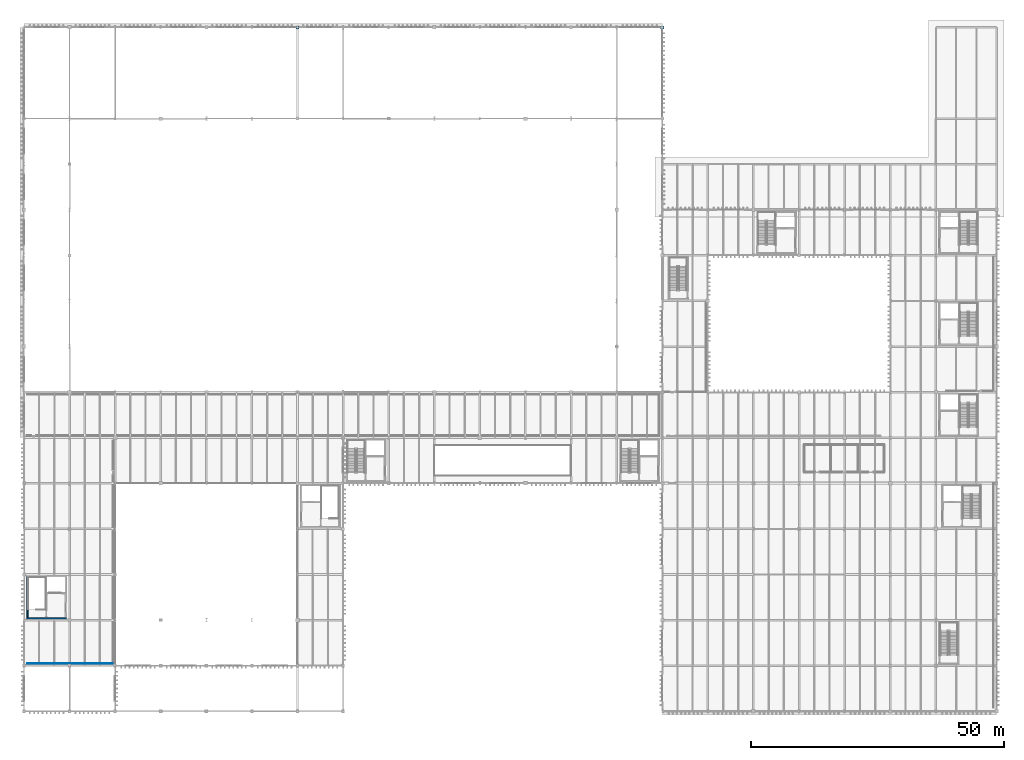
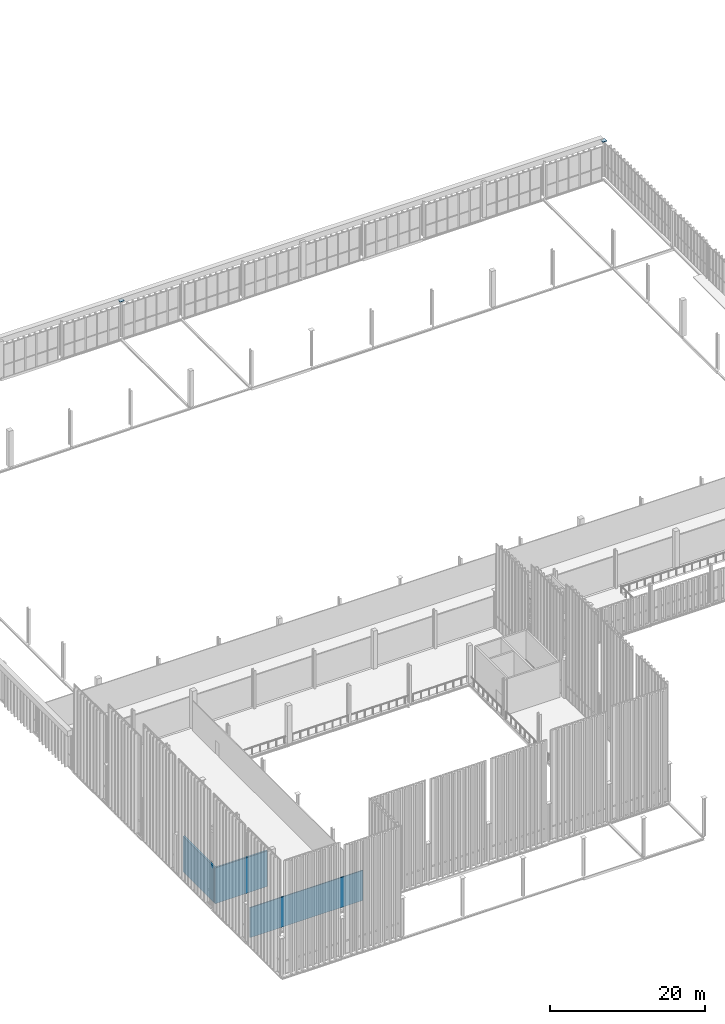
# One storey, part 204 of 237: 3 walls, 2 plates.
"""IFC4 building model written with IfcOpenShell, lengths in metres."""

from ifc_helpers import new_model, si_unit, direction, frame, frame_2d, origin, origin_2d, place, context, subcontext, project, spatial, rectangle, extrude, material, layer, layer_set, type_object, element, save


model = new_model("IFC4")

# Units and contexts
model_context = context("Model", 3, precision=1e-05, world=origin(), true_north=direction((0.0, 1.0)))
body_context = subcontext(model_context, "Body", "Model", "MODEL_VIEW")
ifc_project = project(units=[si_unit("LENGTHUNIT", "METRE"), si_unit("AREAUNIT", "SQUARE_METRE"), si_unit("VOLUMEUNIT", "CUBIC_METRE"), si_unit("PLANEANGLEUNIT", "RADIAN"), si_unit("MASSUNIT", "GRAM", prefix="KILO")], contexts=[model_context])

# Site, building, storey
site_placement = place(None, origin())
site = spatial("IfcSite", under=ifc_project, at=site_placement, CompositionType="ELEMENT")
building_placement = place(site_placement, origin())
building = spatial("IfcBuilding", under=site, at=building_placement, Name="Barlavento Convention Centre", CompositionType="ELEMENT")
storey_placement = place(building_placement, frame((0.0, 0.0, 12.0)))
storey = spatial("IfcBuildingStorey", under=building, at=storey_placement, Name="L02", CompositionType="ELEMENT", Elevation=12.0)

# Plates
ifc_material_1 = material(Name="Steel S355", Category="steel")
ifc_layer_1 = layer(ifc_material_1, 0.06005859375)
ifc_layer_set_1 = layer_set([ifc_layer_1], Name="STR-PLT-CAP-620")
plate_type = type_object("IfcPlateType", Name="STR-PLT-CAP-620", PredefinedType="SHEET", material=ifc_layer_set_1)
for number, where, z_axis, x_axis, name in (
    (1, (54.0, 135.0, 5.625), (0.0, 0.0, 1.0), (1.0, 0.0, 0.0), "Hollow column sealing end-cap plate EC04"),
    (2, (126.0, 135.0, 5.625), (0.0, 0.0, 1.0), (1.0, 0.0, 0.0), "Hollow column sealing end-cap plate EC04"),
):
    element("IfcPlate", number, at=place(storey_placement, frame(where, z_axis=z_axis, x_axis=x_axis)), inside=storey, type_object=plate_type, Name=name, PredefinedType="SHEET", context=body_context, shape_type="SweptSolid", body=[
        extrude(rectangle(XDim=0.6201171875, YDim=0.6201171875, at=origin_2d()), origin(), (0.0, 0.0, 1.0), 0.06005859375),
    ])

# Walls
ifc_material_2 = material(Name="Lightweight gypsum partition")
ifc_layer_2 = layer(ifc_material_2, 0.125)
ifc_layer_set_2 = layer_set([ifc_layer_2], Name="ARC-WL-PART-125")
wall_type_1 = type_object("IfcWallType", Name="ARC-WL-PART-125", PredefinedType="PARTITIONING", material=ifc_layer_set_2)
wall_1_placement = place(storey_placement, frame((0.675048828125, 9.39990234375, 0.0), z_axis=(0.0, 0.0, 1.0), x_axis=(1.0, 0.0, 0.0)))
element("IfcWall", 3, at=wall_1_placement, inside=storey, type_object=wall_type_1, Name="L02 interior wall PT-05", PredefinedType="PARTITIONING", context=body_context, shape_type="SweptSolid", body=[
    extrude(rectangle(XDim=16.849853515625, YDim=0.125, at=frame_2d((8.4248046875, 0.0))), origin(), (0.0, 0.0, 1.0), 4.75),
])
ifc_material_3 = material(Name="Concrete C50/60", Category="concrete")
ifc_layer_3 = layer(ifc_material_3, 0.25)
ifc_layer_set_3 = layer_set([ifc_layer_3], Name="STR-WL-CORE-250")
wall_type_2 = type_object("IfcWallType", Name="STR-WL-CORE-250", PredefinedType="SHEAR", material=ifc_layer_set_3)
wall_2_placement = place(storey_placement, frame((0.72509765625, 18.469970703125, 0.0), z_axis=(0.0, 0.0, 1.0), x_axis=(0.0, 1.0, 0.0)))
element("IfcWall", 4, at=wall_2_placement, inside=storey, type_object=wall_type_2, Name="L02 interior wall CW-02", PredefinedType="SHEAR", context=body_context, shape_type="SweptSolid", body=[
    extrude(rectangle(XDim=8.06005859375, YDim=0.25, at=frame_2d((4.030029296875, 0.0))), origin(), (0.0, 0.0, 1.0), 5.639892578125),
])
wall_3_placement = place(storey_placement, frame((0.60009765625, 18.344970703125, 0.0), z_axis=(0.0, 0.0, 1.0), x_axis=(1.0, 0.0, 0.0)))
element("IfcWall", 5, at=wall_3_placement, inside=storey, type_object=wall_type_2, Name="L02 interior wall CW-02", PredefinedType="SHEAR", context=body_context, shape_type="SweptSolid", body=[
    extrude(rectangle(XDim=7.7998046875, YDim=0.25, at=frame_2d((3.89990234375, 0.0))), origin(), (0.0, 0.0, 1.0), 5.639892578125),
])

save(model, "model.ifc")
